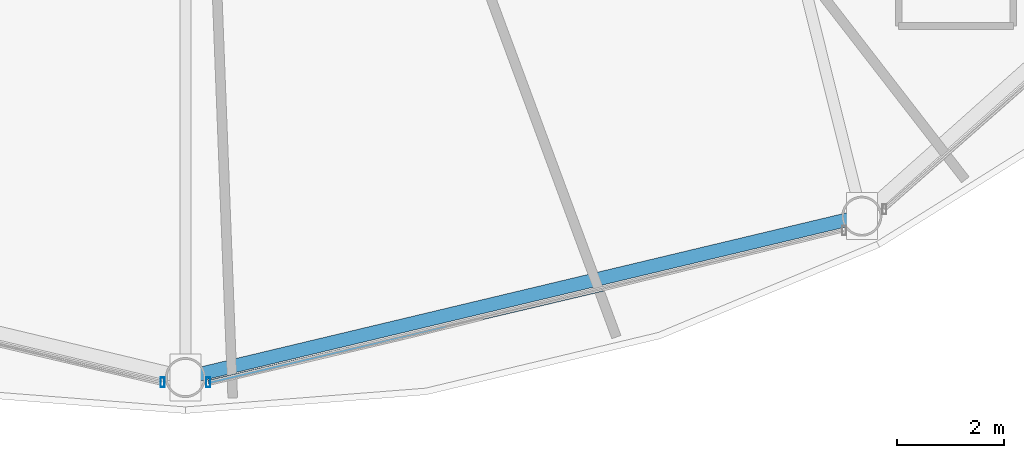
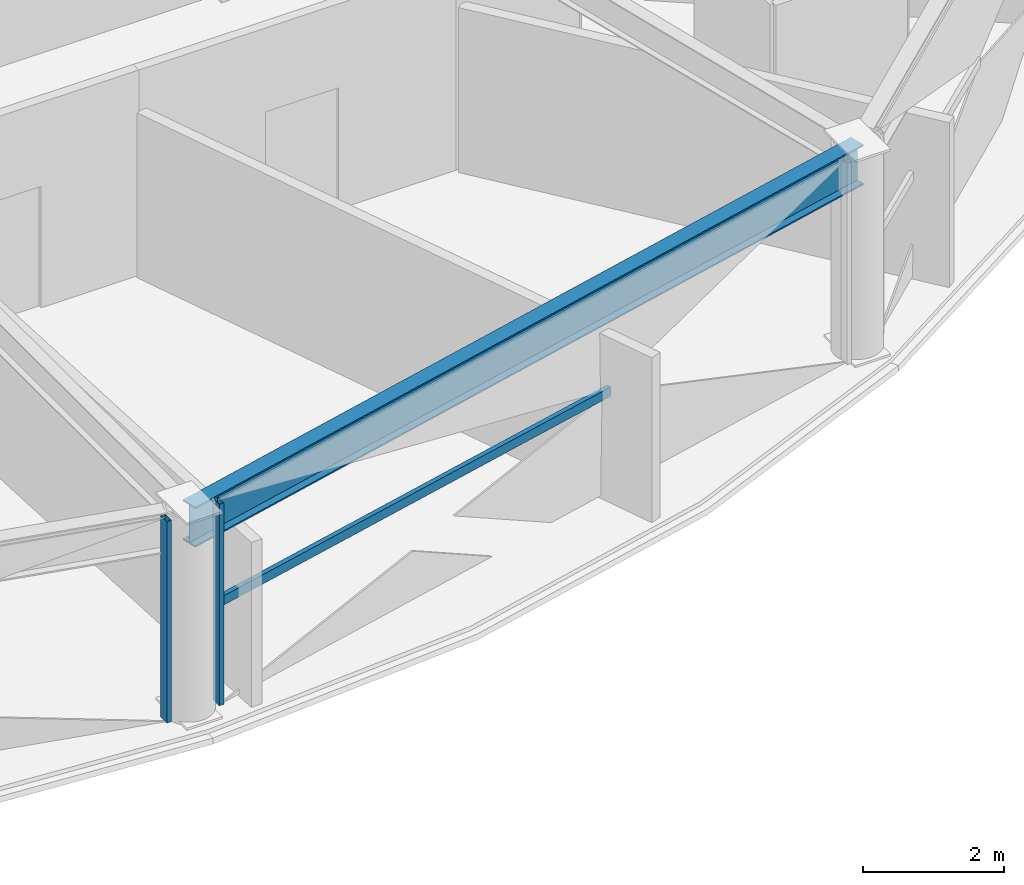
# One storey, part 5 of 31: 3 members, 1 beam, 2 elements without a shape of their own.
"""IFC4 building model written with IfcOpenShell, lengths in metres."""

import ifcopenshell
import ifcopenshell.guid

model = None  # the IFC model being written
_history = None  # IfcOwnerHistory: only IFC2X3 demands one
_inside = {}  # id of a spatial element -> (the spatial element, [elements in it])
_under = {}  # id of a project, library or spatial element -> (it, [spatial elements below it])
_declared = {}  # id of a project -> (the project, [libraries it declares])
_typed = {}  # id of a type object -> (the type object, [elements of that type])
_made_of = {}  # id of a material, layer set ... -> (it, [elements and type objects made of it])


def new_model(schema):
    """Start an empty IFC model of exactly this schema.

    Asked for "IFC4X3", IfcOpenShell would pick the latest addendum, in which some entities
    have other attributes; the version numbers below select the first issue.
    IFC2X3 requires an IfcOwnerHistory on every rooted entity: one is made here for all.
    """
    global model, _history
    if schema == "IFC4X3":
        model = ifcopenshell.file(schema_version=(4, 3, 0, 0))
    else:
        model = ifcopenshell.file(schema=schema)
    _inside.clear()
    _under.clear()
    _declared.clear()
    _typed.clear()
    _made_of.clear()
    _history = None
    if model.schema == "IFC2X3":
        org = make("IfcOrganization", Name="unknown")
        user = make(
            "IfcPersonAndOrganization",
            ThePerson=make("IfcPerson", FamilyName="unknown"),
            TheOrganization=org,
        )
        app = make(
            "IfcApplication",
            ApplicationDeveloper=org,
            Version="unknown",
            ApplicationFullName="unknown",
            ApplicationIdentifier="unknown",
        )
        _history = make(
            "IfcOwnerHistory",
            OwningUser=user,
            OwningApplication=app,
            ChangeAction="ADDED",
            CreationDate=0,
        )
    return model


def make(cls, **values):
    """One entity of the class cls with the attributes given. An attribute that is None is left unset."""
    return model.create_entity(
        cls, **{name: value for name, value in values.items() if value is not None}
    )


def rooted(cls, **values):
    """An entity with a GlobalId (a new one), such as an element, a storey or a relation."""
    return make(cls, GlobalId=ifcopenshell.guid.new(), OwnerHistory=_history, **values)


def si_unit(unit_type, name, prefix=None):
    """IfcSIUnit, for example si_unit("LENGTHUNIT", "METRE", prefix="MILLI")."""
    return make("IfcSIUnit", UnitType=unit_type, Prefix=prefix, Name=name)


def assignment(units):
    """IfcUnitAssignment: the units of a project."""
    return None if units is None else make("IfcUnitAssignment", Units=units)


def point(xyz):
    """IfcCartesianPoint."""
    return None if xyz is None else make("IfcCartesianPoint", Coordinates=xyz)


def direction(xyz):
    """IfcDirection."""
    return None if xyz is None else make("IfcDirection", DirectionRatios=xyz)


def frame(location, z_axis=None, x_axis=None):
    """IfcAxis2Placement3D, a coordinate frame: its origin and axes. An axis left out is left unset."""
    return make(
        "IfcAxis2Placement3D",
        Location=point(location),
        Axis=direction(z_axis),
        RefDirection=direction(x_axis),
    )


def frame_2d(location, x_axis=None):
    """IfcAxis2Placement2D, a coordinate frame in the plane: its origin and x axis."""
    return make(
        "IfcAxis2Placement2D", Location=point(location), RefDirection=direction(x_axis)
    )


def origin():
    """The frame at (0, 0, 0) with its axes left unset."""
    return frame((0.0, 0.0, 0.0))


def origin_2d():
    """The frame at (0, 0) in the plane with its x axis left unset."""
    return frame_2d((0.0, 0.0))


def place(relative_to, where):
    """IfcLocalPlacement: puts the frame where relative to a parent placement (None: the world)."""
    return make(
        "IfcLocalPlacement", PlacementRelTo=relative_to, RelativePlacement=where
    )


def context(
    kind, dimensions, precision=None, world=None, true_north=None, identifier=None
):
    """IfcGeometricRepresentationContext, for example the 3D "Model" context."""
    return make(
        "IfcGeometricRepresentationContext",
        ContextIdentifier=identifier,
        ContextType=kind,
        CoordinateSpaceDimension=dimensions,
        Precision=precision,
        WorldCoordinateSystem=world,
        TrueNorth=true_north,
    )


def subcontext(parent, identifier, kind, view, scale=None):
    """IfcGeometricRepresentationSubContext, for example "Body" below "Model"."""
    return make(
        "IfcGeometricRepresentationSubContext",
        ContextIdentifier=identifier,
        ContextType=kind,
        ParentContext=parent,
        TargetScale=scale,
        TargetView=view,
    )


def project(units=None, contexts=None):
    """IfcProject with its units and contexts."""
    return rooted(
        "IfcProject",
        Name="project",
        RepresentationContexts=contexts,
        UnitsInContext=assignment(units),
    )


def spatial(cls, under=None, at=None, **own):
    """A site, building, storey or space (cls), placed at a placement, below another one or the project."""
    s = rooted(cls, ObjectPlacement=at, **own)
    if under is not None:
        _under.setdefault(under.id(), (under, []))[1].append(s)
    return s


def profile(cls, at=None, kind="AREA", **sizes):
    """A parametric profile (cls). Its sizes go by their IFC names, for example OverallWidth=200.0."""
    return make(cls, ProfileType=kind, Position=at, **sizes)


def hollow_rectangle(**sizes):
    """IfcRectangleHollowProfileDef."""
    return profile("IfcRectangleHollowProfileDef", **sizes)


def i_section(**sizes):
    """IfcIShapeProfileDef."""
    return profile("IfcIShapeProfileDef", **sizes)


def extrude(swept, where, along, depth):
    """IfcExtrudedAreaSolid: the profile swept, set in the frame where, extruded along a direction by depth."""
    return make(
        "IfcExtrudedAreaSolid",
        SweptArea=swept,
        Position=where,
        ExtrudedDirection=direction(along),
        Depth=depth,
    )


def shape(context_of_items, identifier, shape_type, items):
    """IfcShapeRepresentation: the items that make up one representation, for example the "Body"."""
    return make(
        "IfcShapeRepresentation",
        ContextOfItems=context_of_items,
        RepresentationIdentifier=identifier,
        RepresentationType=shape_type,
        Items=items,
    )


def material(Name=None, Category=None):
    """IfcMaterial."""
    return make("IfcMaterial", Name=Name, Category=Category)


def layer(
    of_material, thickness, ventilated=None, Name=None, Category=None, Priority=None
):
    """IfcMaterialLayer: one layer of a wall or slab, of a material (None: an air gap)."""
    return make(
        "IfcMaterialLayer",
        Material=of_material,
        LayerThickness=thickness,
        IsVentilated=ventilated,
        Name=Name,
        Category=Category,
        Priority=Priority,
    )


def layer_set(layers, Name=None):
    """IfcMaterialLayerSet."""
    return make("IfcMaterialLayerSet", MaterialLayers=layers, LayerSetName=Name)


def material_profile(
    of_material, cross_section, Name=None, Category=None, Priority=None
):
    """IfcMaterialProfile: a cross section and its material."""
    return make(
        "IfcMaterialProfile",
        Name=Name,
        Material=of_material,
        Profile=cross_section,
        Priority=Priority,
        Category=Category,
    )


def profile_set(profiles, Name=None, composite=None):
    """IfcMaterialProfileSet."""
    return make(
        "IfcMaterialProfileSet",
        Name=Name,
        MaterialProfiles=profiles,
        CompositeProfile=composite,
    )


def made_of(thing, what):
    """Note that an element or type object is made of a material, layer set ...; save() writes the relation."""
    if what is not None:
        _made_of.setdefault(what.id(), (what, []))[1].append(thing)
    return thing


def type_object(cls, material=None, **own):
    """A type object (cls), such as IfcWallType, which elements share."""
    return made_of(rooted(cls, **own), material)


def element(
    cls,
    number,
    at=None,
    inside=None,
    cuts=None,
    type_object=None,
    material=None,
    context=None,
    identifier="Body",
    shape_type=None,
    held_by="IfcProductDefinitionShape",
    body=None,
    shapes=None,
    **own,
):
    """One element of the class cls, such as IfcWall. Its Tag is "e" and its number.

    at: its placement. inside: the storey or other place that contains it. cuts: it is an
    opening in that element (IfcRelVoidsElement). A single representation is given by context,
    identifier, shape_type and body (its items); several are given by shapes. held_by: the class
    of the entity that holds the representations. save() writes the other relations.
    """
    e = rooted(cls, Tag="e%d" % number, ObjectPlacement=at, **own)
    if body is not None:
        shapes = [shape(context, identifier, shape_type, body)]
    if shapes is not None:
        e.Representation = make(held_by, Representations=shapes)
    if inside is not None:
        _inside.setdefault(inside.id(), (inside, []))[1].append(e)
    if cuts is not None:
        rooted(
            "IfcRelVoidsElement", RelatingBuildingElement=cuts, RelatedOpeningElement=e
        )
    if type_object is not None:
        _typed.setdefault(type_object.id(), (type_object, []))[1].append(e)
    return made_of(e, material)


def aggregate(whole, parts):
    """IfcRelAggregates: a whole, such as a stair, and the parts it consists of."""
    return rooted("IfcRelAggregates", RelatingObject=whole, RelatedObjects=parts)


def save(model, path):
    """Write the relations noted so far, then the file.

    IfcRelAggregates (storeys below a building ...), IfcRelContainedInSpatialStructure (elements
    in a storey), IfcRelDefinesByType, IfcRelAssociatesMaterial and IfcRelDeclares: one each for
    every whole, place, type object, material and project.
    """
    for whole, parts in _under.values():
        aggregate(whole, parts)
    for where, things in _inside.values():
        rooted(
            "IfcRelContainedInSpatialStructure",
            RelatedElements=things,
            RelatingStructure=where,
        )
    for kind, things in _typed.values():
        rooted("IfcRelDefinesByType", RelatedObjects=things, RelatingType=kind)
    for what, things in _made_of.values():
        rooted("IfcRelAssociatesMaterial", RelatedObjects=things, RelatingMaterial=what)
    for by, libraries in _declared.values():
        rooted("IfcRelDeclares", RelatingContext=by, RelatedDefinitions=libraries)
    model.write(path)


model = new_model("IFC4")

# Units and contexts
model_context = context("Model", 3, precision=1e-05, world=origin(), true_north=direction((0.0, 1.0)))
body_context = subcontext(model_context, "Body", "Model", "MODEL_VIEW")
ifc_project = project(units=[si_unit("LENGTHUNIT", "METRE"), si_unit("AREAUNIT", "SQUARE_METRE"), si_unit("VOLUMEUNIT", "CUBIC_METRE"), si_unit("PLANEANGLEUNIT", "RADIAN"), si_unit("MASSUNIT", "GRAM", prefix="KILO")], contexts=[model_context])

# Site, building, storey
site_placement = place(None, origin())
site = spatial("IfcSite", under=ifc_project, at=site_placement, CompositionType="ELEMENT")
building_placement = place(site_placement, origin())
building = spatial("IfcBuilding", under=site, at=building_placement, Name="Vantalir Tower", CompositionType="ELEMENT")
storey_placement = place(building_placement, frame((0.0, 0.0, 123.449951171875)))
storey = spatial("IfcBuildingStorey", under=building, at=storey_placement, Name="L30", CompositionType="ELEMENT", Elevation=123.449951171875)

# Beam
ifc_material_1 = material(Name="Steel S460", Category="steel")
ifc_material_profile_1 = material_profile(ifc_material_1, i_section(OverallWidth=0.256103515625, OverallDepth=0.693115234375, WebThickness=0.014404296875, FlangeThickness=0.023681640625, at=origin_2d()), Name="Steel S460")
ifc_profile_set_1 = profile_set([ifc_material_profile_1], Name="Steel S460")
beam_type = type_object("IfcBeamType", Name="BM-RG-686x254", PredefinedType="USERDEFINED", material=ifc_profile_set_1)
beam_placement = place(storey_placement, frame((31.5, 2.43408203125, 3.22314453125), z_axis=(0.972697106811, 0.232078302307, 0.0), x_axis=(-0.232078302307, 0.972697106811, 0.0)))
element("IfcBeam", 1, at=beam_placement, inside=storey, type_object=beam_type, Name="L30 Circumferential Ring Girder 10", ObjectType="GIRDER", PredefinedType="USERDEFINED", context=body_context, shape_type="SweptSolid", body=[
    extrude(i_section(OverallWidth=0.256103515625, OverallDepth=0.693115234375, WebThickness=0.014404296875, FlangeThickness=0.023681640625, at=origin_2d()), origin(), (0.0, 0.0, 1.0), 13.025634765625),
])

# Curtain wall, member
ifc_material_2 = material(Name="Champagne-silver PVDF aluminium and double-silver Low-E glass", Category="aluminium")
ifc_layer = layer(ifc_material_2, 0.199951171875)
ifc_layer_set = layer_set([ifc_layer], Name="Champagne-silver PVDF aluminium and double-silver Low-E glass")
curtain_wall_type = type_object("IfcCurtainWallType", Name="CW-DIAMOND-Z2", PredefinedType="USERDEFINED", material=ifc_layer_set)
curtain_wall_1_placement = place(storey_placement, origin())
curtain_wall_1 = element("IfcCurtainWall", 2, at=curtain_wall_1_placement, inside=storey, type_object=curtain_wall_type, Name="L30 Quilted Pyramid-Diamond Curtain Wall S09", ObjectType="UNITISED CURTAIN WALL", PredefinedType="USERDEFINED")
ifc_material_3 = material(Name="Champagne-silver PVDF aluminium 6063-T6", Category="aluminium")
ifc_material_profile_2 = material_profile(ifc_material_3, hollow_rectangle(XDim=0.074951171875, YDim=0.179931640625, WallThickness=0.00390625, at=origin_2d()), Name="Champagne-silver PVDF aluminium 6063-T6")
ifc_profile_set_2 = profile_set([ifc_material_profile_2], Name="Champagne-silver PVDF aluminium 6063-T6")
member_type_1 = type_object("IfcMemberType", Name="CWM-180x75", PredefinedType="MULLION", material=ifc_profile_set_2)
member_1_placement = place(storey_placement, frame((31.072021484375, 2.345947265625, 0.045166015625), z_axis=(0.0, 0.0, 1.0), x_axis=(1.0, 0.0, 0.0)))
member_1 = element("IfcMember", 3, at=member_1_placement, type_object=member_type_1, Name="CW-L30-S09 Mullion 2", PredefinedType="MULLION", context=body_context, shape_type="SweptSolid", body=[
    extrude(hollow_rectangle(XDim=0.074951171875, YDim=0.179931640625, WallThickness=0.00390625, at=origin_2d()), origin(), (0.0, 0.0, 1.0), 3.47998046875),
])
aggregate(curtain_wall_1, [member_1])

# Curtain wall, members
curtain_wall_2_placement = place(storey_placement, origin())
curtain_wall_2 = element("IfcCurtainWall", 4, at=curtain_wall_2_placement, inside=storey, type_object=curtain_wall_type, Name="L30 Quilted Pyramid-Diamond Curtain Wall S10", ObjectType="UNITISED CURTAIN WALL", PredefinedType="USERDEFINED")
member_2_placement = place(storey_placement, frame((31.927978515625, 2.345947265625, 0.045166015625), z_axis=(0.0, 0.0, 1.0), x_axis=(1.0, 0.0, 0.0)))
member_2 = element("IfcMember", 5, at=member_2_placement, type_object=member_type_1, Name="CW-L30-S10 Mullion 1", PredefinedType="MULLION", context=body_context, shape_type="SweptSolid", body=[
    extrude(hollow_rectangle(XDim=0.074951171875, YDim=0.179931640625, WallThickness=0.00390625, at=origin_2d()), origin(), (0.0, 0.0, 1.0), 3.47998046875),
])
ifc_material_profile_3 = material_profile(ifc_material_3, hollow_rectangle(XDim=0.074951171875, YDim=0.159912109375, WallThickness=0.00390625, at=origin_2d()), Name="Champagne-silver PVDF aluminium 6063-T6")
ifc_profile_set_3 = profile_set([ifc_material_profile_3], Name="Champagne-silver PVDF aluminium 6063-T6")
member_type_2 = type_object("IfcMemberType", Name="CWT-160x75", PredefinedType="USERDEFINED", material=ifc_profile_set_3)
member_3_placement = place(storey_placement, frame((31.927978515625, 2.345947265625, 1.78515625), z_axis=(0.973368661437, 0.229245390208, 0.0), x_axis=(-0.229245390208, 0.973368661437, 0.0)))
member_3 = element("IfcMember", 6, at=member_3_placement, type_object=member_type_2, Name="CW-L30-S10 Pyramid Fold Ridge Transom", ObjectType="TRANSOM", PredefinedType="USERDEFINED", context=body_context, shape_type="SweptSolid", body=[
    extrude(hollow_rectangle(XDim=0.074951171875, YDim=0.159912109375, WallThickness=0.00390625, at=origin_2d()), origin(), (0.0, 0.0, 1.0), 7.59423828125),
])
aggregate(curtain_wall_2, [member_2, member_3])

save(model, "model.ifc")
